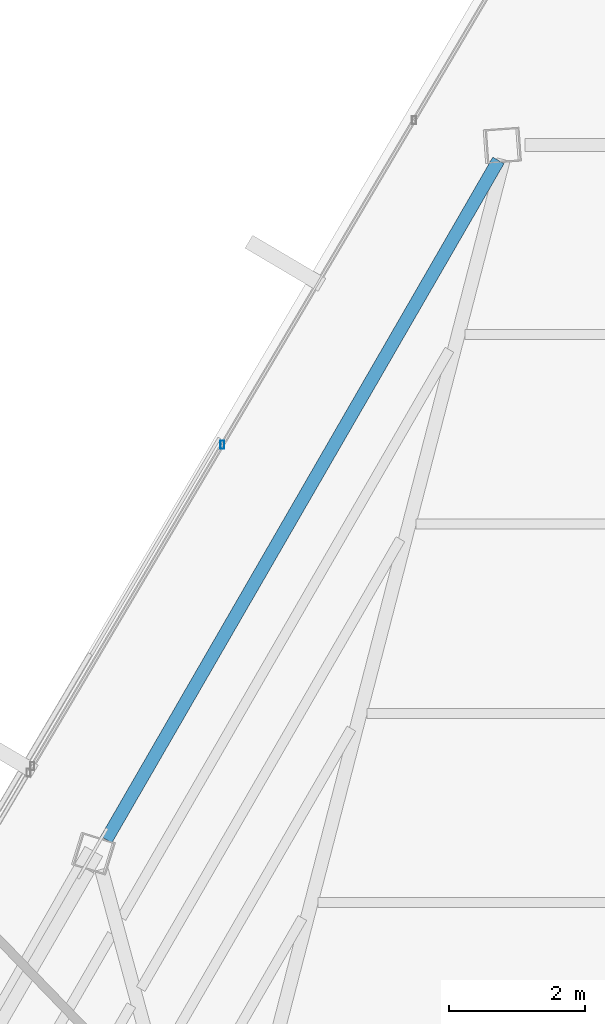
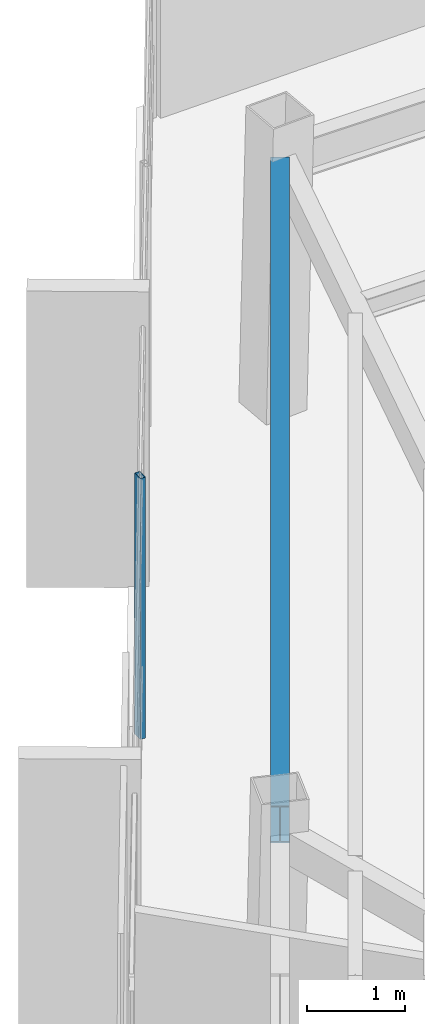
# One storey, part 32 of 44: 1 beam, 1 member, 1 element without a shape of its own.
"""IFC4 building model written with IfcOpenShell, lengths in metres."""

from ifc_helpers import new_model, si_unit, direction, frame, origin, origin_2d, place, context, subcontext, project, spatial, hollow_rectangle, i_section, extrude, source, transform, mapped, material, material_profile, profile_set, type_object, type_shapes, element, aggregate, save


model = new_model("IFC4")

# Units and contexts
model_context = context("Model", 3, precision=1e-05, world=origin(), true_north=direction((0.0, 1.0)))
body_context = subcontext(model_context, "Body", "Model", "MODEL_VIEW")
ifc_project = project(units=[si_unit("LENGTHUNIT", "METRE"), si_unit("AREAUNIT", "SQUARE_METRE"), si_unit("VOLUMEUNIT", "CUBIC_METRE"), si_unit("PLANEANGLEUNIT", "RADIAN"), si_unit("MASSUNIT", "GRAM", prefix="KILO")], contexts=[model_context])

# Site, building, storey
site_placement = place(None, origin())
site = spatial("IfcSite", under=ifc_project, at=site_placement, CompositionType="ELEMENT")
building_placement = place(site_placement, origin())
building = spatial("IfcBuilding", under=site, at=building_placement, Name="Caelisora Broadcast Tower", CompositionType="ELEMENT")
storey_placement = place(building_placement, frame((0.0, 0.0, 280.949951171875)))
storey = spatial("IfcBuildingStorey", under=building, at=storey_placement, Name="L74", CompositionType="ELEMENT", Elevation=280.949951171875)

# Beam
ifc_material_1 = material(Name="Steel Grade 350 (AS/NZS 3679.1)", Category="steel")
ifc_material_profile_1 = material_profile(ifc_material_1, i_section(OverallWidth=0.19091796875, OverallDepth=0.46044921875, WebThickness=0.010009765625, FlangeThickness=0.01611328125, at=origin_2d()), Name="Steel Grade 350 (AS/NZS 3679.1)")
ifc_profile_set_1 = profile_set([ifc_material_profile_1], Name="Steel Grade 350 (AS/NZS 3679.1)")
beam_type = type_object("IfcBeamType", Name="PG06", PredefinedType="BEAM", material=ifc_profile_set_1)
shared_shape_1 = source(origin(), body_context, "Body", "SweptSolid", [
    extrude(i_section(OverallWidth=0.19091796875, OverallDepth=0.46044921875, WebThickness=0.010009765625, FlangeThickness=0.01611328125, at=origin_2d()), origin(), (0.0, 0.0, 1.0), 11.542236328125),
])
type_shapes(beam_type, [shared_shape_1])
beam_placement = place(storey_placement, frame((34.697509765625, 46.4990234375, 3.019775390625), z_axis=(-0.499992828295, -0.866029544331, 0.0), x_axis=(0.866029544331, -0.499992828295, 0.0)))
element("IfcBeam", 1, at=beam_placement, inside=storey, type_object=beam_type, Name="L74 beam PG06", PredefinedType="BEAM", context=body_context, shape_type="MappedRepresentation", body=[
    mapped(shared_shape_1, transform((0.0, 0.0, 0.0), scale=1.0)),
])

# Curtain wall, member
ifc_material_2 = material(Name="Unitised Aluminium and Low-E Glass Curtain Wall", Category="glass")
curtain_wall_type = type_object("IfcCurtainWallType", Name="CW-Z5", PredefinedType="NOTDEFINED", material=ifc_material_2)
curtain_wall_placement = place(storey_placement, origin())
curtain_wall = element("IfcCurtainWall", 2, at=curtain_wall_placement, inside=storey, type_object=curtain_wall_type, Name="L74 curtain wall CW-Z5", PredefinedType="NOTDEFINED")
ifc_material_3 = material(Name="Aluminium 6063-T6 Anodised Terracotta Bronze", Category="aluminium")
ifc_material_profile_2 = material_profile(ifc_material_3, hollow_rectangle(XDim=0.06005859375, YDim=0.1201171875, WallThickness=0.0029296875, at=origin_2d()), Name="Aluminium 6063-T6 Anodised Terracotta Bronze")
ifc_profile_set_2 = profile_set([ifc_material_profile_2], Name="Aluminium 6063-T6 Anodised Terracotta Bronze")
member_type = type_object("IfcMemberType", Name="CWM-04", PredefinedType="MULLION", material=ifc_profile_set_2)
shared_shape_2 = source(origin(), body_context, "Body", "SweptSolid", [
    extrude(hollow_rectangle(XDim=0.06005859375, YDim=0.1201171875, WallThickness=0.0029296875, at=origin_2d()), origin(), (0.0, 0.0, 1.0), 3.25),
])
type_shapes(member_type, [shared_shape_2])
member_placement = place(storey_placement, frame((30.634765625, 42.31494140625, 0.0), z_axis=(0.0, 0.0, 1.0), x_axis=(1.0, 0.0, 0.0)))
member = element("IfcMember", 3, at=member_placement, type_object=member_type, Name="L74-CW-B11 mullion #1", PredefinedType="MULLION", context=body_context, shape_type="MappedRepresentation", body=[
    mapped(shared_shape_2, transform((0.0, 0.0, 0.0), scale=1.0)),
])
aggregate(curtain_wall, [member])

save(model, "model.ifc")
